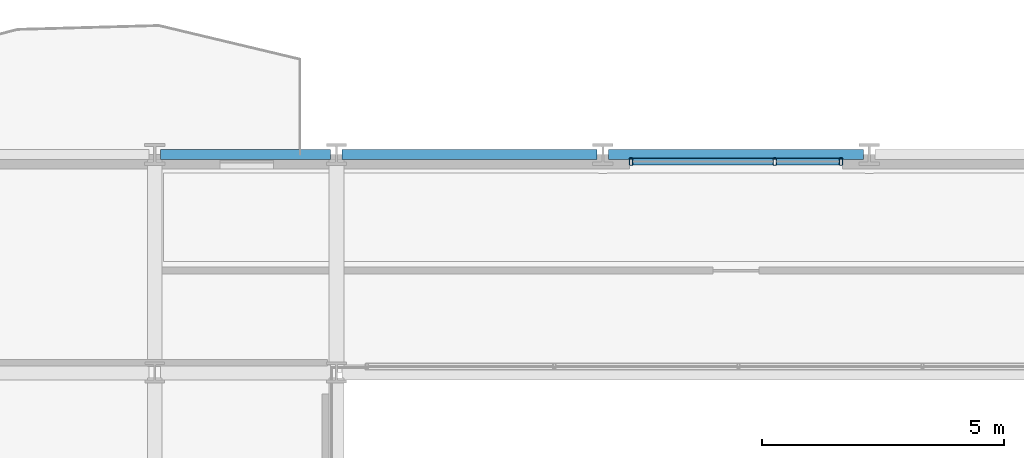
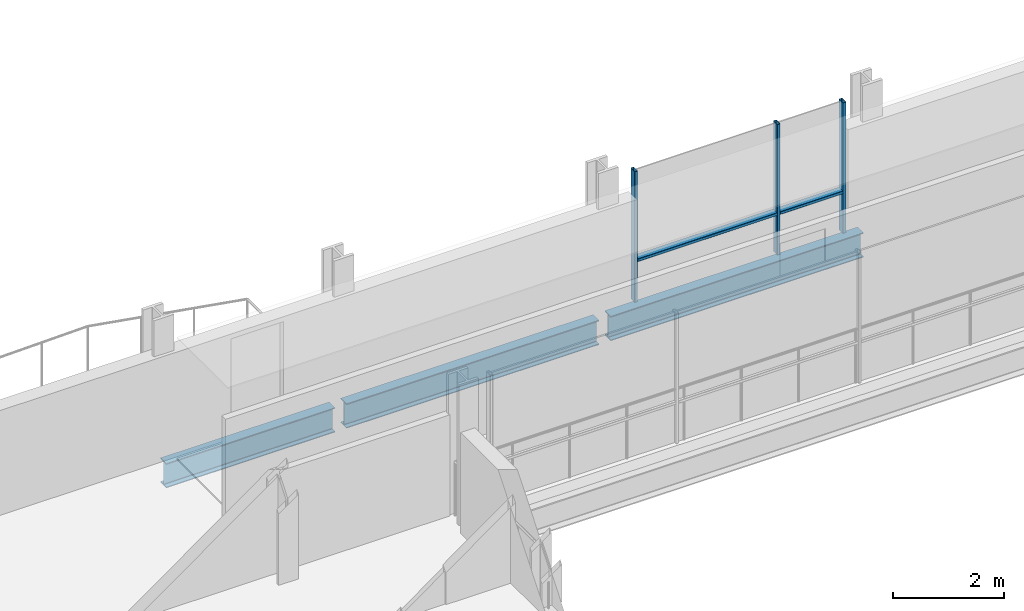
# One storey, part 22 of 40: 5 members, 3 beams, 1 element without a shape of its own.
"""IFC4 building model written with IfcOpenShell, lengths in metres."""

from ifc_helpers import new_model, si_unit, direction, frame, origin, origin_2d, place, context, subcontext, project, spatial, hollow_rectangle, i_section, extrude, material, layer, layer_set, material_profile, profile_set, type_object, element, aggregate, save


model = new_model("IFC4")

# Units and contexts
model_context = context("Model", 3, precision=1e-05, world=origin(), true_north=direction((0.0, 1.0)))
body_context = subcontext(model_context, "Body", "Model", "MODEL_VIEW")
ifc_project = project(units=[si_unit("LENGTHUNIT", "METRE"), si_unit("AREAUNIT", "SQUARE_METRE"), si_unit("VOLUMEUNIT", "CUBIC_METRE"), si_unit("PLANEANGLEUNIT", "RADIAN"), si_unit("MASSUNIT", "GRAM", prefix="KILO")], contexts=[model_context])

# Site, building, storey
site_placement = place(None, origin())
site = spatial("IfcSite", under=ifc_project, at=site_placement, CompositionType="ELEMENT")
building_placement = place(site_placement, origin())
building = spatial("IfcBuilding", under=site, at=building_placement, Name="Brevholm Reach", CompositionType="ELEMENT")
storey_placement = place(building_placement, frame((0.0, 0.0, 80.699951171875)))
storey = spatial("IfcBuildingStorey", under=building, at=storey_placement, Name="L23", CompositionType="ELEMENT", Elevation=80.699951171875)

# Beams
ifc_material_1 = material(Name="Structural Steel S355J2", Category="steel")
ifc_material_profile_1 = material_profile(ifc_material_1, i_section(OverallWidth=0.210693359375, OverallDepth=0.53955078125, WebThickness=0.01171875, FlangeThickness=0.018798828125, FilletRadius=0.0126953125, at=origin_2d()), Name="UKB 533x210x109")
ifc_profile_set_1 = profile_set([ifc_material_profile_1], Name="Structural Steel S355J2")
beam_type = type_object("IfcBeamType", Name="BM-SP539", PredefinedType="SPANDREL", material=ifc_profile_set_1)
beam_placement = place(storey_placement, frame((18.1201171875, 31.0, -0.499755859375), z_axis=(1.0, 0.0, 0.0), x_axis=(0.0, 1.0, 0.0)))
element("IfcBeam", 1, at=beam_placement, inside=storey, type_object=beam_type, Name="L23 SP-01B Framing Beam", PredefinedType="SPANDREL", context=body_context, shape_type="SweptSolid", body=[
    extrude(i_section(OverallWidth=0.210693359375, OverallDepth=0.53955078125, WebThickness=0.01171875, FlangeThickness=0.018798828125, FilletRadius=0.0126953125, at=origin_2d()), origin(), (0.0, 0.0, 1.0), 3.509765625),
])
for number, where, z_axis, x_axis, name in (
    (2, (21.8701171875, 31.0, -0.499755859375), (1.0, 0.0, 0.0), (0.0, 1.0, 0.0), "L23 SP-01B Framing Beam"),
    (3, (27.3701171875, 31.0, -0.499755859375), (1.0, 0.0, 0.0), (0.0, 1.0, 0.0), "L23 SP-01B Framing Beam"),
):
    element("IfcBeam", number, at=place(storey_placement, frame(where, z_axis=z_axis, x_axis=x_axis)), inside=storey, type_object=beam_type, Name=name, PredefinedType="SPANDREL", context=body_context, shape_type="SweptSolid", body=[
        extrude(i_section(OverallWidth=0.210693359375, OverallDepth=0.53955078125, WebThickness=0.01171875, FlangeThickness=0.018798828125, FilletRadius=0.0126953125, at=origin_2d()), origin(), (0.0, 0.0, 1.0), 5.259765625),
    ])

# Curtain wall, members
ifc_material_2 = material(Name="Dark Anodised Aluminium 6063-T6 and Solar-Control Glass", Category="aluminium")
ifc_layer = layer(ifc_material_2, 0.14990234375)
ifc_layer_set = layer_set([ifc_layer], Name="Dark Anodised Aluminium 6063-T6 and Solar-Control Glass")
curtain_wall_type = type_object("IfcCurtainWallType", Name="CW-01", PredefinedType="NOTDEFINED", material=ifc_layer_set)
curtain_wall_placement = place(storey_placement, origin())
curtain_wall = element("IfcCurtainWall", 4, at=curtain_wall_placement, inside=storey, type_object=curtain_wall_type, Name="L23 Curtain Wall CW-01", PredefinedType="NOTDEFINED")
ifc_material_3 = material(Name="Dark Anodised Aluminium 6063-T6", Category="aluminium")
ifc_material_profile_2 = material_profile(ifc_material_3, hollow_rectangle(XDim=0.06494140625, YDim=0.14990234375, WallThickness=0.0048828125, InnerFilletRadius=0.0048828125, OuterFilletRadius=0.010009765625, at=origin_2d()), Name="RHS 150x65x5")
ifc_profile_set_2 = profile_set([ifc_material_profile_2], Name="Dark Anodised Aluminium 6063-T6")
member_type_1 = type_object("IfcMemberType", Name="CWM-150", PredefinedType="MULLION", material=ifc_profile_set_2)
member_1_placement = place(storey_placement, frame((27.83251953125, 30.85009765625, 0.0), z_axis=(0.0, 0.0, 1.0), x_axis=(1.0, 0.0, 0.0)))
member_1 = element("IfcMember", 5, at=member_1_placement, type_object=member_type_1, Name="CM-150 Mullion 1", PredefinedType="MULLION", context=body_context, shape_type="SweptSolid", body=[
    extrude(hollow_rectangle(XDim=0.06494140625, YDim=0.14990234375, WallThickness=0.0048828125, InnerFilletRadius=0.0048828125, OuterFilletRadius=0.010009765625, at=origin_2d()), origin(), (0.0, 0.0, 1.0), 2.8701171875),
])
member_2_placement = place(storey_placement, frame((30.800048828125, 30.85009765625, 0.0), z_axis=(0.0, 0.0, 1.0), x_axis=(1.0, 0.0, 0.0)))
member_2 = element("IfcMember", 6, at=member_2_placement, type_object=member_type_1, Name="CM-150 Mullion 2", PredefinedType="MULLION", context=body_context, shape_type="SweptSolid", body=[
    extrude(hollow_rectangle(XDim=0.06494140625, YDim=0.14990234375, WallThickness=0.0048828125, InnerFilletRadius=0.0048828125, OuterFilletRadius=0.010009765625, at=origin_2d()), origin(), (0.0, 0.0, 1.0), 2.8701171875),
])
member_3_placement = place(storey_placement, frame((32.16748046875, 30.85009765625, 0.0), z_axis=(0.0, 0.0, 1.0), x_axis=(1.0, 0.0, 0.0)))
member_3 = element("IfcMember", 7, at=member_3_placement, type_object=member_type_1, Name="CM-150 Mullion 3", PredefinedType="MULLION", context=body_context, shape_type="SweptSolid", body=[
    extrude(hollow_rectangle(XDim=0.06494140625, YDim=0.14990234375, WallThickness=0.0048828125, InnerFilletRadius=0.0048828125, OuterFilletRadius=0.010009765625, at=origin_2d()), origin(), (0.0, 0.0, 1.0), 2.8701171875),
])
ifc_material_4 = material(Name="Dark Anodised Aluminium 6063-T6", Category="aluminium")
ifc_material_profile_3 = material_profile(ifc_material_4, hollow_rectangle(XDim=0.06494140625, YDim=0.14990234375, WallThickness=0.0048828125, InnerFilletRadius=0.0048828125, OuterFilletRadius=0.010009765625, at=origin_2d()), Name="RHS 150x65x5")
ifc_profile_set_3 = profile_set([ifc_material_profile_3], Name="Dark Anodised Aluminium 6063-T6")
member_type_2 = type_object("IfcMemberType", Name="CWT-150", PredefinedType="NOTDEFINED", material=ifc_profile_set_3)
member_4_placement = place(storey_placement, frame((27.864990234375, 30.85009765625, 0.900146484375), z_axis=(1.0, 0.0, 0.0), x_axis=(0.0, 0.0, 1.0)))
member_4 = element("IfcMember", 8, at=member_4_placement, type_object=member_type_2, Name="CT-150 Transom 1.1", ObjectType="TRANSOM", PredefinedType="USERDEFINED", context=body_context, shape_type="SweptSolid", body=[
    extrude(hollow_rectangle(XDim=0.06494140625, YDim=0.14990234375, WallThickness=0.0048828125, InnerFilletRadius=0.0048828125, OuterFilletRadius=0.010009765625, at=origin_2d()), origin(), (0.0, 0.0, 1.0), 2.902587890625),
])
member_5_placement = place(storey_placement, frame((30.83251953125, 30.85009765625, 0.900146484375), z_axis=(1.0, 0.0, 0.0), x_axis=(0.0, 0.0, 1.0)))
member_5 = element("IfcMember", 9, at=member_5_placement, type_object=member_type_2, Name="CT-150 Transom 2.1", ObjectType="TRANSOM", PredefinedType="USERDEFINED", context=body_context, shape_type="SweptSolid", body=[
    extrude(hollow_rectangle(XDim=0.06494140625, YDim=0.14990234375, WallThickness=0.0048828125, InnerFilletRadius=0.0048828125, OuterFilletRadius=0.010009765625, at=origin_2d()), origin(), (0.0, 0.0, 1.0), 1.302490234375),
])
aggregate(curtain_wall, [member_1, member_2, member_3, member_4, member_5])

save(model, "model.ifc")
